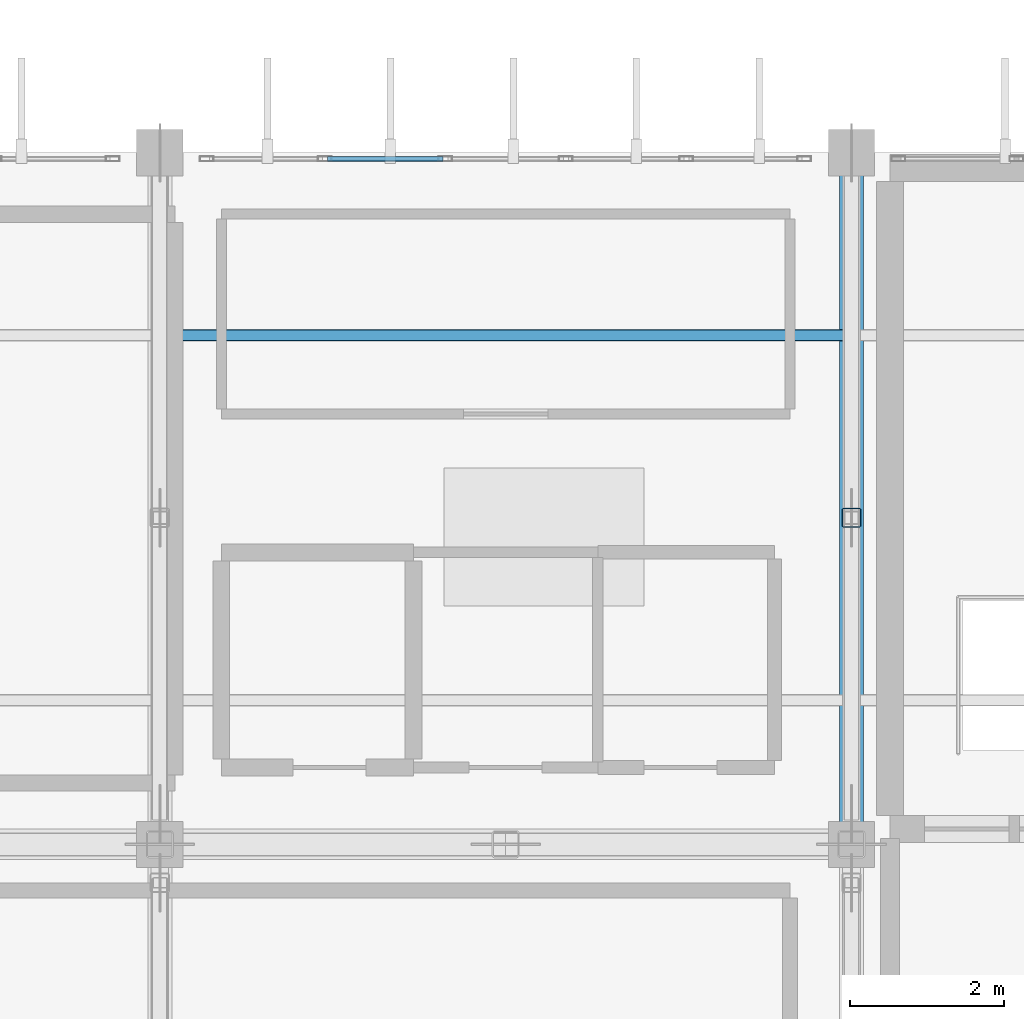
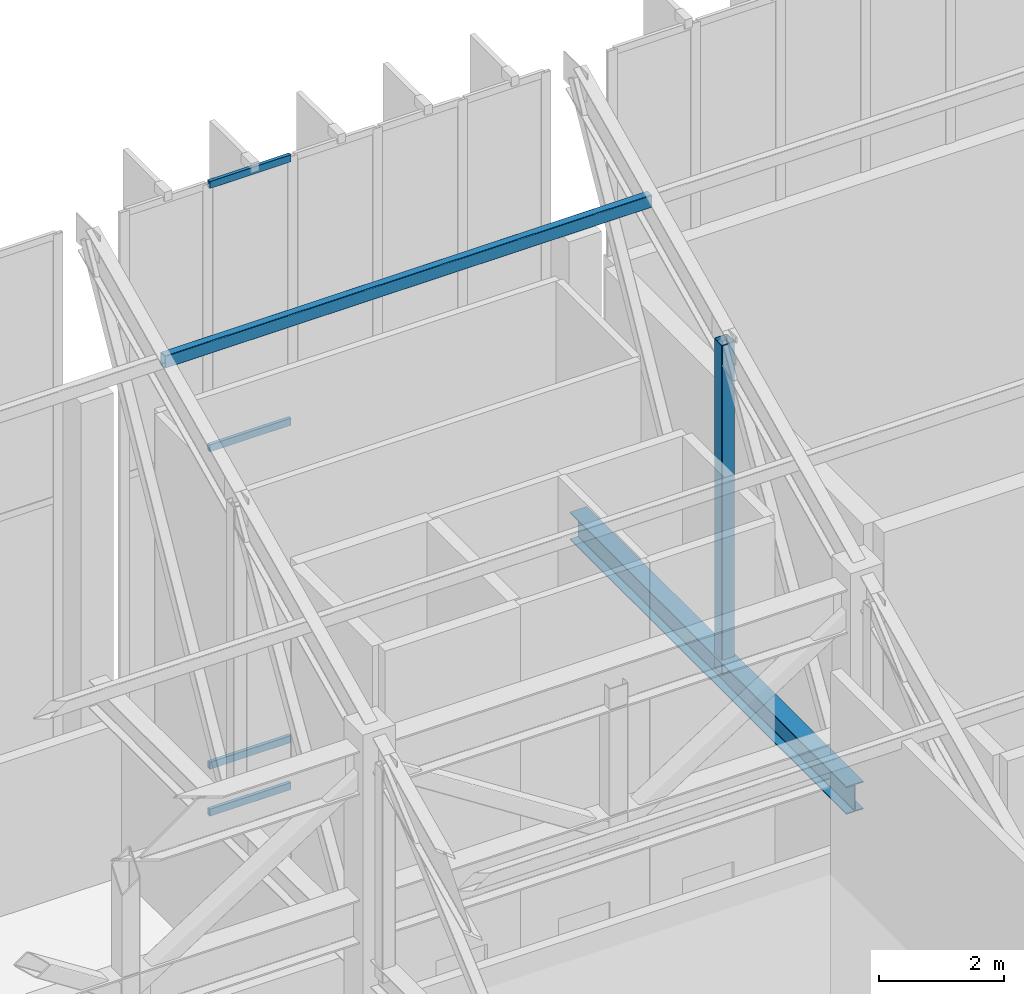
# One storey, part 37 of 68: 6 members, 1 beam, 1 element without a shape of its own.
"""IFC4 building model written with IfcOpenShell, lengths in metres."""

from ifc_helpers import new_model, si_unit, direction, frame, origin, origin_2d, place, context, subcontext, project, spatial, hollow_rectangle, i_section, extrude, material, material_profile, profile_set, type_object, element, aggregate, save


model = new_model("IFC4")

# Units and contexts
model_context = context("Model", 3, precision=1e-05, world=origin(), true_north=direction((0.0, 1.0)))
body_context = subcontext(model_context, "Body", "Model", "MODEL_VIEW")
ifc_project = project(units=[si_unit("LENGTHUNIT", "METRE"), si_unit("AREAUNIT", "SQUARE_METRE"), si_unit("VOLUMEUNIT", "CUBIC_METRE"), si_unit("PLANEANGLEUNIT", "RADIAN"), si_unit("MASSUNIT", "GRAM", prefix="KILO")], contexts=[model_context])

# Site, building, storey
site_placement = place(None, origin())
site = spatial("IfcSite", under=ifc_project, at=site_placement, CompositionType="ELEMENT")
building_placement = place(site_placement, origin())
building = spatial("IfcBuilding", under=site, at=building_placement, Name="Miravela Opera House", CompositionType="ELEMENT")
storey_placement = place(building_placement, frame((0.0, 0.0, 21.760009765625)))
storey = spatial("IfcBuildingStorey", under=building, at=storey_placement, Name="L05", CompositionType="ELEMENT", Elevation=21.760009765625)

# Curtain wall, members
ifc_material_1 = material(Name="Anodised architectural bronze aluminium 6063-T6", Category="aluminium")
curtain_wall_type = type_object("IfcCurtainWallType", Name="ARC-CW-03", PredefinedType="NOTDEFINED", material=ifc_material_1)
curtain_wall_placement = place(storey_placement, origin())
curtain_wall = element("IfcCurtainWall", 1, at=curtain_wall_placement, inside=storey, type_object=curtain_wall_type, Name="Auditorium North Wrapper Glazing CW-L05-061", PredefinedType="NOTDEFINED")
ifc_material_profile_1 = material_profile(ifc_material_1, hollow_rectangle(XDim=0.06494140625, YDim=0.139892578125, WallThickness=0.00390625, InnerFilletRadius=0.001953125, OuterFilletRadius=0.00390625, at=origin_2d()), Name="CWT-65X140")
ifc_profile_set_1 = profile_set([ifc_material_profile_1])
member_type_1 = type_object("IfcMemberType", Name="ARC-CWT-140", PredefinedType="USERDEFINED", material=ifc_profile_set_1)
member_1_placement = place(storey_placement, frame((38.180419921875, 74.919921875, 0.032470703125), z_axis=(1.0, 0.0, 0.0), x_axis=(0.0, 1.0, 0.0)))
member_1 = element("IfcMember", 2, at=member_1_placement, type_object=member_type_1, Name="CW-03 transom 2.1", ObjectType="TRANSOM", PredefinedType="USERDEFINED", context=body_context, shape_type="SweptSolid", body=[
    extrude(hollow_rectangle(XDim=0.06494140625, YDim=0.139892578125, WallThickness=0.00390625, InnerFilletRadius=0.001953125, OuterFilletRadius=0.00390625, at=origin_2d()), origin(), (0.0, 0.0, 1.0), 1.503173828125),
])
member_2_placement = place(storey_placement, frame((38.180419921875, 74.919921875, 0.949951171875), z_axis=(1.0, 0.0, 0.0), x_axis=(0.0, 1.0, 0.0)))
member_2 = element("IfcMember", 3, at=member_2_placement, type_object=member_type_1, Name="CW-03 transom 2.2", ObjectType="TRANSOM", PredefinedType="USERDEFINED", context=body_context, shape_type="SweptSolid", body=[
    extrude(hollow_rectangle(XDim=0.06494140625, YDim=0.139892578125, WallThickness=0.00390625, InnerFilletRadius=0.001953125, OuterFilletRadius=0.00390625, at=origin_2d()), origin(), (0.0, 0.0, 1.0), 1.503173828125),
])
member_3_placement = place(storey_placement, frame((38.180419921875, 74.919921875, 7.139892578125), z_axis=(1.0, 0.0, 0.0), x_axis=(0.0, 1.0, 0.0)))
member_3 = element("IfcMember", 4, at=member_3_placement, type_object=member_type_1, Name="CW-03 transom 2.3", ObjectType="TRANSOM", PredefinedType="USERDEFINED", context=body_context, shape_type="SweptSolid", body=[
    extrude(hollow_rectangle(XDim=0.06494140625, YDim=0.139892578125, WallThickness=0.00390625, InnerFilletRadius=0.001953125, OuterFilletRadius=0.00390625, at=origin_2d()), origin(), (0.0, 0.0, 1.0), 1.503173828125),
])
member_4_placement = place(storey_placement, frame((38.180419921875, 74.919921875, 12.277587890625), z_axis=(1.0, 0.0, 0.0), x_axis=(0.0, 1.0, 0.0)))
member_4 = element("IfcMember", 5, at=member_4_placement, type_object=member_type_1, Name="CW-03 transom 2.4", ObjectType="TRANSOM", PredefinedType="USERDEFINED", context=body_context, shape_type="SweptSolid", body=[
    extrude(hollow_rectangle(XDim=0.06494140625, YDim=0.139892578125, WallThickness=0.00390625, InnerFilletRadius=0.001953125, OuterFilletRadius=0.00390625, at=origin_2d()), origin(), (0.0, 0.0, 1.0), 1.503173828125),
])
aggregate(curtain_wall, [member_1, member_2, member_3, member_4])

# Beam
ifc_material_2 = material(Name="Structural steel ASTM A992 Gr. 50", Category="steel")
ifc_material_profile_2 = material_profile(ifc_material_2, i_section(OverallWidth=0.31201171875, OverallDepth=0.54296875, WebThickness=0.0126953125, FlangeThickness=0.020263671875, FilletRadius=0.01611328125, at=origin_2d()), Name="W530X150")
ifc_profile_set_2 = profile_set([ifc_material_profile_2])
beam_type = type_object("IfcBeamType", Name="STR-BM-W530X150", PredefinedType="BEAM", material=ifc_profile_set_2)
beam_placement = place(storey_placement, frame((45.0, 66.080078125, 3.280029296875), z_axis=(0.0, 1.0, 0.0), x_axis=(-1.0, 0.0, 0.0)))
element("IfcBeam", 6, at=beam_placement, inside=storey, type_object=beam_type, Name="V-Crest Roof Truss Bottom Tie Chord X=45 Seg 4", PredefinedType="BEAM", context=body_context, shape_type="SweptSolid", body=[
    extrude(i_section(OverallWidth=0.31201171875, OverallDepth=0.54296875, WebThickness=0.0126953125, FlangeThickness=0.020263671875, FilletRadius=0.01611328125, at=origin_2d()), origin(), (0.0, 0.0, 1.0), 8.83984375),
])

# Members
ifc_material_3 = material(Name="Hollow structural steel ASTM A500 Gr. C", Category="steel")
ifc_material_profile_3 = material_profile(ifc_material_3, hollow_rectangle(XDim=0.25, YDim=0.25, WallThickness=0.011962890625, InnerFilletRadius=0.011962890625, OuterFilletRadius=0.02392578125, at=origin_2d()), Name="HSS250X250X12")
ifc_profile_set_3 = profile_set([ifc_material_profile_3])
member_type_2 = type_object("IfcMemberType", Name="STR-MEM-CANT-POST2", PredefinedType="POST", material=ifc_profile_set_3)
member_5_placement = place(storey_placement, frame((45.0, 70.25, 3.280029296875), z_axis=(0.0, 0.0, 1.0), x_axis=(1.0, 0.0, 0.0)))
element("IfcMember", 7, at=member_5_placement, inside=storey, type_object=member_type_2, Name="V-Crest Roof Truss Panel Post X=45 Node 7", PredefinedType="POST", context=body_context, shape_type="SweptSolid", body=[
    extrude(hollow_rectangle(XDim=0.25, YDim=0.25, WallThickness=0.011962890625, InnerFilletRadius=0.011962890625, OuterFilletRadius=0.02392578125, at=origin_2d()), origin(), (0.0, 0.0, 1.0), 6.409912109375),
])
ifc_material_profile_4 = material_profile(ifc_material_3, hollow_rectangle(XDim=0.14990234375, YDim=0.25, WallThickness=0.011962890625, InnerFilletRadius=0.011962890625, OuterFilletRadius=0.02392578125, at=origin_2d()), Name="HSS250X150X12")
ifc_profile_set_4 = profile_set([ifc_material_profile_4])
member_type_3 = type_object("IfcMemberType", Name="STR-MEM-PURLIN-1", PredefinedType="PURLIN", material=ifc_profile_set_4)
member_6_placement = place(storey_placement, frame((36.010009765625, 72.625, 10.994873046875), z_axis=(1.0, 0.0, 0.0), x_axis=(0.0, 1.0, 0.0)))
element("IfcMember", 8, at=member_6_placement, inside=storey, type_object=member_type_3, Name="V-Roof Steel Purlin B8.3", PredefinedType="PURLIN", context=body_context, shape_type="SweptSolid", body=[
    extrude(hollow_rectangle(XDim=0.14990234375, YDim=0.25, WallThickness=0.011962890625, InnerFilletRadius=0.011962890625, OuterFilletRadius=0.02392578125, at=origin_2d()), origin(), (0.0, 0.0, 1.0), 8.97998046875),
])

save(model, "model.ifc")
